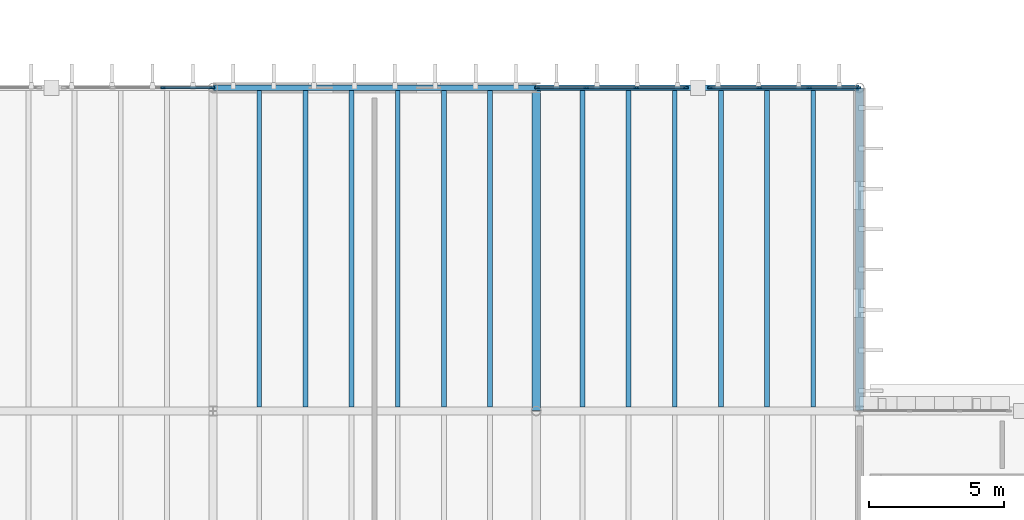
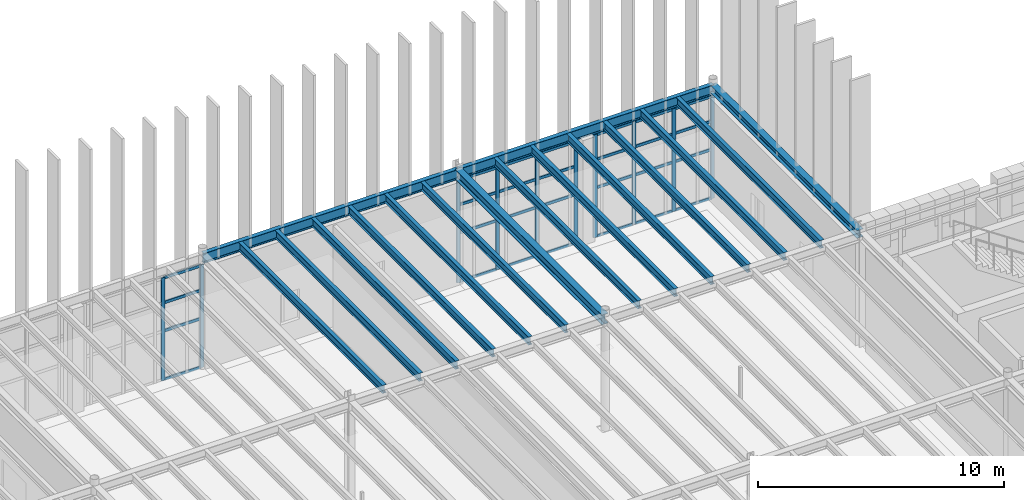
# One storey, part 29 of 83: 38 members, 16 beams, 3 elements without a shape of their own.
"""IFC4 building model written with IfcOpenShell, lengths in metres."""

from ifc_helpers import new_model, si_unit, direction, frame, origin, origin_2d, place, context, subcontext, project, spatial, rectangle, i_section, extrude, material, layer, layer_set, material_profile, profile_set, type_object, element, aggregate, save


model = new_model("IFC4")

# Units and contexts
model_context = context("Model", 3, precision=1e-05, world=origin(), true_north=direction((0.0, 1.0)))
body_context = subcontext(model_context, "Body", "Model", "MODEL_VIEW")
ifc_project = project(units=[si_unit("LENGTHUNIT", "METRE"), si_unit("AREAUNIT", "SQUARE_METRE"), si_unit("VOLUMEUNIT", "CUBIC_METRE"), si_unit("PLANEANGLEUNIT", "RADIAN"), si_unit("MASSUNIT", "GRAM", prefix="KILO")], contexts=[model_context])

# Site, building, storey
site_placement = place(None, origin())
site = spatial("IfcSite", under=ifc_project, at=site_placement, CompositionType="ELEMENT")
building_placement = place(site_placement, origin())
building = spatial("IfcBuilding", under=site, at=building_placement, Name="Zlatogorsky Bluff Art Gallery", CompositionType="ELEMENT")
storey_placement = place(building_placement, frame((0.0, 0.0, 10.800048828125)))
storey = spatial("IfcBuildingStorey", under=building, at=storey_placement, Name="L02", CompositionType="ELEMENT", Elevation=10.800048828125)

# Beams
ifc_material_1 = material(Name="Steel S355", Category="steel")
ifc_material_profile_1 = material_profile(ifc_material_1, i_section(OverallWidth=0.300048828125, OverallDepth=0.489990234375, WebThickness=0.011962890625, FlangeThickness=0.02294921875, FilletRadius=0.027099609375, at=origin_2d()), Name="HEA 500")
ifc_profile_set_1 = profile_set([ifc_material_profile_1], Name="Steel S355")
beam_type_1 = type_object("IfcBeamType", Name="Beam BM-07 HEA 500", PredefinedType="BEAM", material=ifc_profile_set_1)
beam_1_placement = place(storey_placement, frame((108.0, 108.014892578125, 5.445068359375), z_axis=(0.0, 1.0, 0.0), x_axis=(-1.0, 0.0, 0.0)))
element("IfcBeam", 1, at=beam_1_placement, inside=storey, type_object=beam_type_1, Name="Primary girder BM-07 L02 K/11-12", PredefinedType="BEAM", context=body_context, shape_type="SweptSolid", body=[
    extrude(i_section(OverallWidth=0.300048828125, OverallDepth=0.489990234375, WebThickness=0.011962890625, FlangeThickness=0.02294921875, FilletRadius=0.027099609375, at=origin_2d()), origin(), (0.0, 0.0, 1.0), 11.97021484375),
])
ifc_material_profile_2 = material_profile(ifc_material_1, i_section(OverallWidth=0.300048828125, OverallDepth=0.389892578125, WebThickness=0.010986328125, FlangeThickness=0.01904296875, FilletRadius=0.027099609375, at=origin_2d()), Name="HEA 400")
ifc_profile_set_2 = profile_set([ifc_material_profile_2], Name="Steel S355")
beam_type_2 = type_object("IfcBeamType", Name="Beam BM-09 HEA 400", PredefinedType="BEAM", material=ifc_profile_set_2)
beam_2_placement = place(storey_placement, frame((120.0, 108.014892578125, 5.494873046875), z_axis=(0.0, 1.0, 0.0), x_axis=(-1.0, 0.0, 0.0)))
element("IfcBeam", 2, at=beam_2_placement, inside=storey, type_object=beam_type_2, Name="Primary girder BM-09 L02 L/11-12", PredefinedType="BEAM", context=body_context, shape_type="SweptSolid", body=[
    extrude(i_section(OverallWidth=0.300048828125, OverallDepth=0.389892578125, WebThickness=0.010986328125, FlangeThickness=0.01904296875, FilletRadius=0.027099609375, at=origin_2d()), origin(), (0.0, 0.0, 1.0), 11.97021484375),
])
ifc_material_profile_3 = material_profile(ifc_material_1, i_section(OverallWidth=0.179931640625, OverallDepth=0.39990234375, WebThickness=0.008544921875, FlangeThickness=0.013427734375, FilletRadius=0.02099609375, at=origin_2d()), Name="IPE 400")
ifc_profile_set_3 = profile_set([ifc_material_profile_3], Name="Steel S355")
beam_type_3 = type_object("IfcBeamType", Name="Beam JS-05 IPE 400", PredefinedType="JOIST", material=ifc_profile_set_3)
for number, where, z_axis, x_axis, name in (
    (3, (97.71435546875, 108.14990234375, 5.489990234375), (0.0, 1.0, 0.0), (-1.0, 0.0, 0.0), "Composite floor joist JS-05 L02 08.10.1"),
    (4, (99.428466796875, 108.14990234375, 5.489990234375), (0.0, 1.0, 0.0), (-1.0, 0.0, 0.0), "Composite floor joist JS-05 L02 08.10.2"),
    (5, (101.142822265625, 108.14990234375, 5.489990234375), (0.0, 1.0, 0.0), (-1.0, 0.0, 0.0), "Composite floor joist JS-05 L02 08.10.3"),
    (6, (102.857177734375, 108.14990234375, 5.489990234375), (0.0, 1.0, 0.0), (-1.0, 0.0, 0.0), "Composite floor joist JS-05 L02 08.10.4"),
    (7, (104.571533203125, 108.14990234375, 5.489990234375), (0.0, 1.0, 0.0), (-1.0, 0.0, 0.0), "Composite floor joist JS-05 L02 08.10.5"),
    (8, (106.28564453125, 108.14990234375, 5.489990234375), (0.0, 1.0, 0.0), (-1.0, 0.0, 0.0), "Composite floor joist JS-05 L02 08.10.6"),
    (9, (109.71435546875, 108.14990234375, 5.489990234375), (0.0, 1.0, 0.0), (-1.0, 0.0, 0.0), "Composite floor joist JS-05 L02 09.10.1"),
    (10, (111.428466796875, 108.14990234375, 5.489990234375), (0.0, 1.0, 0.0), (-1.0, 0.0, 0.0), "Composite floor joist JS-05 L02 09.10.2"),
    (11, (113.142822265625, 108.14990234375, 5.489990234375), (0.0, 1.0, 0.0), (-1.0, 0.0, 0.0), "Composite floor joist JS-05 L02 09.10.3"),
    (12, (114.857177734375, 108.14990234375, 5.489990234375), (0.0, 1.0, 0.0), (-1.0, 0.0, 0.0), "Composite floor joist JS-05 L02 09.10.4"),
    (13, (116.571533203125, 108.14990234375, 5.489990234375), (0.0, 1.0, 0.0), (-1.0, 0.0, 0.0), "Composite floor joist JS-05 L02 09.10.5"),
    (14, (118.28564453125, 108.14990234375, 5.489990234375), (0.0, 1.0, 0.0), (-1.0, 0.0, 0.0), "Composite floor joist JS-05 L02 09.10.6"),
):
    element("IfcBeam", number, at=place(storey_placement, frame(where, z_axis=z_axis, x_axis=x_axis)), inside=storey, type_object=beam_type_3, Name=name, PredefinedType="JOIST", context=body_context, shape_type="SweptSolid", body=[
        extrude(i_section(OverallWidth=0.179931640625, OverallDepth=0.39990234375, WebThickness=0.008544921875, FlangeThickness=0.013427734375, FilletRadius=0.02099609375, at=origin_2d()), origin(), (0.0, 0.0, 1.0), 11.75),
    ])
ifc_material_profile_4 = material_profile(ifc_material_1, i_section(OverallWidth=0.199951171875, OverallDepth=0.5, WebThickness=0.01025390625, FlangeThickness=0.01611328125, FilletRadius=0.02099609375, at=origin_2d()), Name="IPE 500")
ifc_profile_set_4 = profile_set([ifc_material_profile_4], Name="Steel S355")
beam_type_4 = type_object("IfcBeamType", Name="Beam SP-01 IPE 500", PredefinedType="SPANDREL", material=ifc_profile_set_4)
for number, where, z_axis, x_axis, name in (
    (15, (96.014892578125, 120.0, 5.43994140625), (1.0, 0.0, 0.0), (0.0, 1.0, 0.0), "Primary girder SP-01 L02 J-K/12"),
    (16, (108.014892578125, 120.0, 5.43994140625), (1.0, 0.0, 0.0), (0.0, 1.0, 0.0), "Primary girder SP-01 L02 K-L/12"),
):
    element("IfcBeam", number, at=place(storey_placement, frame(where, z_axis=z_axis, x_axis=x_axis)), inside=storey, type_object=beam_type_4, Name=name, PredefinedType="SPANDREL", context=body_context, shape_type="SweptSolid", body=[
        extrude(i_section(OverallWidth=0.199951171875, OverallDepth=0.5, WebThickness=0.01025390625, FlangeThickness=0.01611328125, FilletRadius=0.02099609375, at=origin_2d()), origin(), (0.0, 0.0, 1.0), 11.97021484375),
    ])

# Curtain wall, members
ifc_material_2 = material(Name="Anodised Bronze Aluminium and Low-Iron Triple Glazing", Category="aluminium")
ifc_layer = layer(ifc_material_2, 0.219970703125)
ifc_layer_set = layer_set([ifc_layer], Name="Curtain Wall CW-04")
curtain_wall_type = type_object("IfcCurtainWallType", Name="Curtain Wall CW-04", PredefinedType="USERDEFINED", material=ifc_layer_set)
curtain_wall_1_placement = place(storey_placement, origin())
curtain_wall_1 = element("IfcCurtainWall", 17, at=curtain_wall_1_placement, inside=storey, type_object=curtain_wall_type, Name="Unitised curtain wall CW-04 L02 N 7.10-A", ObjectType="CURTAIN WALL", PredefinedType="USERDEFINED")
ifc_material_3 = material(Name="Anodised Bronze Aluminium", Category="aluminium")
ifc_material_profile_5 = material_profile(ifc_material_3, rectangle(XDim=0.06494140625, YDim=0.179931640625, at=origin_2d()), Name="ALU MULLION 65x180")
ifc_profile_set_5 = profile_set([ifc_material_profile_5], Name="Anodised Bronze Aluminium")
member_type_1 = type_object("IfcMemberType", Name="Curtain Mullion ML-01", PredefinedType="MULLION", material=ifc_profile_set_5)
member_1_placement = place(storey_placement, frame((95.967529296875, 120.0, 0.0), z_axis=(0.0, 0.0, 1.0), x_axis=(0.0, -1.0, 0.0)))
member_1 = element("IfcMember", 18, at=member_1_placement, type_object=member_type_1, Name="CW-04 mullion 1", PredefinedType="MULLION", context=body_context, shape_type="SweptSolid", body=[
    extrude(rectangle(XDim=0.06494140625, YDim=0.179931640625, at=origin_2d()), origin(), (0.0, 0.0, 1.0), 5.10986328125),
])
member_2_placement = place(storey_placement, frame((94.139892578125, 120.0, 0.0), z_axis=(0.0, 0.0, 1.0), x_axis=(0.0, -1.0, 0.0)))
member_2 = element("IfcMember", 19, at=member_2_placement, type_object=member_type_1, Name="CW-04 mullion 2", PredefinedType="MULLION", context=body_context, shape_type="SweptSolid", body=[
    extrude(rectangle(XDim=0.06494140625, YDim=0.179931640625, at=origin_2d()), origin(), (0.0, 0.0, 1.0), 5.10986328125),
])

curtain_wall_2_placement = place(storey_placement, origin())
curtain_wall_2 = element("IfcCurtainWall", 20, at=curtain_wall_2_placement, inside=storey, type_object=curtain_wall_type, Name="Unitised curtain wall CW-04 L02 N 9.10-A", ObjectType="CURTAIN WALL", PredefinedType="USERDEFINED")
member_3_placement = place(storey_placement, frame((119.967529296875, 120.0, 0.0), z_axis=(0.0, 0.0, 1.0), x_axis=(0.0, -1.0, 0.0)))
member_3 = element("IfcMember", 21, at=member_3_placement, type_object=member_type_1, Name="CW-04 mullion 1", PredefinedType="MULLION", context=body_context, shape_type="SweptSolid", body=[
    extrude(rectangle(XDim=0.06494140625, YDim=0.179931640625, at=origin_2d()), origin(), (0.0, 0.0, 1.0), 5.10986328125),
])
member_4_placement = place(storey_placement, frame((118.139892578125, 120.0, 0.0), z_axis=(0.0, 0.0, 1.0), x_axis=(0.0, -1.0, 0.0)))
member_4 = element("IfcMember", 22, at=member_4_placement, type_object=member_type_1, Name="CW-04 mullion 2", PredefinedType="MULLION", context=body_context, shape_type="SweptSolid", body=[
    extrude(rectangle(XDim=0.06494140625, YDim=0.179931640625, at=origin_2d()), origin(), (0.0, 0.0, 1.0), 5.10986328125),
])
member_5_placement = place(storey_placement, frame((116.280029296875, 120.0, 0.0), z_axis=(0.0, 0.0, 1.0), x_axis=(0.0, -1.0, 0.0)))
member_5 = element("IfcMember", 23, at=member_5_placement, type_object=member_type_1, Name="CW-04 mullion 3", PredefinedType="MULLION", context=body_context, shape_type="SweptSolid", body=[
    extrude(rectangle(XDim=0.06494140625, YDim=0.179931640625, at=origin_2d()), origin(), (0.0, 0.0, 1.0), 5.10986328125),
])
member_6_placement = place(storey_placement, frame((114.452392578125, 120.0, 0.0), z_axis=(0.0, 0.0, 1.0), x_axis=(0.0, -1.0, 0.0)))
member_6 = element("IfcMember", 24, at=member_6_placement, type_object=member_type_1, Name="CW-04 mullion 4", PredefinedType="MULLION", context=body_context, shape_type="SweptSolid", body=[
    extrude(rectangle(XDim=0.06494140625, YDim=0.179931640625, at=origin_2d()), origin(), (0.0, 0.0, 1.0), 5.10986328125),
])

curtain_wall_3_placement = place(storey_placement, origin())
curtain_wall_3 = element("IfcCurtainWall", 25, at=curtain_wall_3_placement, inside=storey, type_object=curtain_wall_type, Name="Unitised curtain wall CW-04 L02 N 9.10-B", ObjectType="CURTAIN WALL", PredefinedType="USERDEFINED")
member_7_placement = place(storey_placement, frame((113.547607421875, 120.0, 0.0), z_axis=(0.0, 0.0, 1.0), x_axis=(0.0, -1.0, 0.0)))
member_7 = element("IfcMember", 26, at=member_7_placement, type_object=member_type_1, Name="CW-04 mullion 1", PredefinedType="MULLION", context=body_context, shape_type="SweptSolid", body=[
    extrude(rectangle(XDim=0.06494140625, YDim=0.179931640625, at=origin_2d()), origin(), (0.0, 0.0, 1.0), 5.10986328125),
])
member_8_placement = place(storey_placement, frame((111.719970703125, 120.0, 0.0), z_axis=(0.0, 0.0, 1.0), x_axis=(0.0, -1.0, 0.0)))
member_8 = element("IfcMember", 27, at=member_8_placement, type_object=member_type_1, Name="CW-04 mullion 2", PredefinedType="MULLION", context=body_context, shape_type="SweptSolid", body=[
    extrude(rectangle(XDim=0.06494140625, YDim=0.179931640625, at=origin_2d()), origin(), (0.0, 0.0, 1.0), 5.10986328125),
])
member_9_placement = place(storey_placement, frame((109.860107421875, 120.0, 0.0), z_axis=(0.0, 0.0, 1.0), x_axis=(0.0, -1.0, 0.0)))
member_9 = element("IfcMember", 28, at=member_9_placement, type_object=member_type_1, Name="CW-04 mullion 3", PredefinedType="MULLION", context=body_context, shape_type="SweptSolid", body=[
    extrude(rectangle(XDim=0.06494140625, YDim=0.179931640625, at=origin_2d()), origin(), (0.0, 0.0, 1.0), 5.10986328125),
])
member_10_placement = place(storey_placement, frame((108.032470703125, 120.0, 0.0), z_axis=(0.0, 0.0, 1.0), x_axis=(0.0, -1.0, 0.0)))
member_10 = element("IfcMember", 29, at=member_10_placement, type_object=member_type_1, Name="CW-04 mullion 4", PredefinedType="MULLION", context=body_context, shape_type="SweptSolid", body=[
    extrude(rectangle(XDim=0.06494140625, YDim=0.179931640625, at=origin_2d()), origin(), (0.0, 0.0, 1.0), 5.10986328125),
])

# Member
ifc_material_profile_6 = material_profile(ifc_material_3, rectangle(XDim=0.06494140625, YDim=0.139892578125, at=origin_2d()), Name="ALU TRANSOM 65x140")
ifc_profile_set_6 = profile_set([ifc_material_profile_6], Name="Anodised Bronze Aluminium")
member_type_2 = type_object("IfcMemberType", Name="Curtain Transom TR-01", PredefinedType="USERDEFINED", material=ifc_profile_set_6)
member_11_placement = place(storey_placement, frame((95.93505859375, 120.0, 0.032470703125), z_axis=(-1.0, 0.0, 0.0), x_axis=(0.0, -1.0, 0.0)))
member_11 = element("IfcMember", 30, at=member_11_placement, type_object=member_type_2, Name="CW-04 transom 1.1", ObjectType="TRANSOM", PredefinedType="USERDEFINED", context=body_context, shape_type="SweptSolid", body=[
    extrude(rectangle(XDim=0.06494140625, YDim=0.139892578125, at=origin_2d()), origin(), (0.0, 0.0, 1.0), 1.762451171875),
])

member_12_placement = place(storey_placement, frame((95.93505859375, 120.0, 2.449951171875), z_axis=(-1.0, 0.0, 0.0), x_axis=(0.0, -1.0, 0.0)))
member_12 = element("IfcMember", 31, at=member_12_placement, type_object=member_type_2, Name="CW-04 transom 1.2", ObjectType="TRANSOM", PredefinedType="USERDEFINED", context=body_context, shape_type="SweptSolid", body=[
    extrude(rectangle(XDim=0.06494140625, YDim=0.139892578125, at=origin_2d()), origin(), (0.0, 0.0, 1.0), 1.762451171875),
])

member_13_placement = place(storey_placement, frame((95.93505859375, 120.0, 3.849853515625), z_axis=(-1.0, 0.0, 0.0), x_axis=(0.0, -1.0, 0.0)))
member_13 = element("IfcMember", 32, at=member_13_placement, type_object=member_type_2, Name="CW-04 transom 1.3", ObjectType="TRANSOM", PredefinedType="USERDEFINED", context=body_context, shape_type="SweptSolid", body=[
    extrude(rectangle(XDim=0.06494140625, YDim=0.139892578125, at=origin_2d()), origin(), (0.0, 0.0, 1.0), 1.762451171875),
])

member_14_placement = place(storey_placement, frame((95.93505859375, 120.0, 5.077392578125), z_axis=(-1.0, 0.0, 0.0), x_axis=(0.0, -1.0, 0.0)))
member_14 = element("IfcMember", 33, at=member_14_placement, type_object=member_type_2, Name="CW-04 transom 1.4", ObjectType="TRANSOM", PredefinedType="USERDEFINED", context=body_context, shape_type="SweptSolid", body=[
    extrude(rectangle(XDim=0.06494140625, YDim=0.139892578125, at=origin_2d()), origin(), (0.0, 0.0, 1.0), 1.762451171875),
])

aggregate(curtain_wall_1, [member_1, member_2, member_11, member_12, member_13, member_14])

member_15_placement = place(storey_placement, frame((119.93505859375, 120.0, 0.032470703125), z_axis=(-1.0, 0.0, 0.0), x_axis=(0.0, -1.0, 0.0)))
member_15 = element("IfcMember", 34, at=member_15_placement, type_object=member_type_2, Name="CW-04 transom 1.1", ObjectType="TRANSOM", PredefinedType="USERDEFINED", context=body_context, shape_type="SweptSolid", body=[
    extrude(rectangle(XDim=0.06494140625, YDim=0.139892578125, at=origin_2d()), origin(), (0.0, 0.0, 1.0), 1.762451171875),
])

member_16_placement = place(storey_placement, frame((119.93505859375, 120.0, 2.449951171875), z_axis=(-1.0, 0.0, 0.0), x_axis=(0.0, -1.0, 0.0)))
member_16 = element("IfcMember", 35, at=member_16_placement, type_object=member_type_2, Name="CW-04 transom 1.2", ObjectType="TRANSOM", PredefinedType="USERDEFINED", context=body_context, shape_type="SweptSolid", body=[
    extrude(rectangle(XDim=0.06494140625, YDim=0.139892578125, at=origin_2d()), origin(), (0.0, 0.0, 1.0), 1.762451171875),
])

member_17_placement = place(storey_placement, frame((119.93505859375, 120.0, 3.849853515625), z_axis=(-1.0, 0.0, 0.0), x_axis=(0.0, -1.0, 0.0)))
member_17 = element("IfcMember", 36, at=member_17_placement, type_object=member_type_2, Name="CW-04 transom 1.3", ObjectType="TRANSOM", PredefinedType="USERDEFINED", context=body_context, shape_type="SweptSolid", body=[
    extrude(rectangle(XDim=0.06494140625, YDim=0.139892578125, at=origin_2d()), origin(), (0.0, 0.0, 1.0), 1.762451171875),
])

member_18_placement = place(storey_placement, frame((119.93505859375, 120.0, 5.077392578125), z_axis=(-1.0, 0.0, 0.0), x_axis=(0.0, -1.0, 0.0)))
member_18 = element("IfcMember", 37, at=member_18_placement, type_object=member_type_2, Name="CW-04 transom 1.4", ObjectType="TRANSOM", PredefinedType="USERDEFINED", context=body_context, shape_type="SweptSolid", body=[
    extrude(rectangle(XDim=0.06494140625, YDim=0.139892578125, at=origin_2d()), origin(), (0.0, 0.0, 1.0), 1.762451171875),
])

member_19_placement = place(storey_placement, frame((118.107421875, 120.0, 0.032470703125), z_axis=(-1.0, 0.0, 0.0), x_axis=(0.0, -1.0, 0.0)))
member_19 = element("IfcMember", 38, at=member_19_placement, type_object=member_type_2, Name="CW-04 transom 2.1", ObjectType="TRANSOM", PredefinedType="USERDEFINED", context=body_context, shape_type="SweptSolid", body=[
    extrude(rectangle(XDim=0.06494140625, YDim=0.139892578125, at=origin_2d()), origin(), (0.0, 0.0, 1.0), 1.794921875),
])

member_20_placement = place(storey_placement, frame((118.107421875, 120.0, 2.449951171875), z_axis=(-1.0, 0.0, 0.0), x_axis=(0.0, -1.0, 0.0)))
member_20 = element("IfcMember", 39, at=member_20_placement, type_object=member_type_2, Name="CW-04 transom 2.2", ObjectType="TRANSOM", PredefinedType="USERDEFINED", context=body_context, shape_type="SweptSolid", body=[
    extrude(rectangle(XDim=0.06494140625, YDim=0.139892578125, at=origin_2d()), origin(), (0.0, 0.0, 1.0), 1.794921875),
])

member_21_placement = place(storey_placement, frame((118.107421875, 120.0, 3.849853515625), z_axis=(-1.0, 0.0, 0.0), x_axis=(0.0, -1.0, 0.0)))
member_21 = element("IfcMember", 40, at=member_21_placement, type_object=member_type_2, Name="CW-04 transom 2.3", ObjectType="TRANSOM", PredefinedType="USERDEFINED", context=body_context, shape_type="SweptSolid", body=[
    extrude(rectangle(XDim=0.06494140625, YDim=0.139892578125, at=origin_2d()), origin(), (0.0, 0.0, 1.0), 1.794921875),
])

member_22_placement = place(storey_placement, frame((118.107421875, 120.0, 5.077392578125), z_axis=(-1.0, 0.0, 0.0), x_axis=(0.0, -1.0, 0.0)))
member_22 = element("IfcMember", 41, at=member_22_placement, type_object=member_type_2, Name="CW-04 transom 2.4", ObjectType="TRANSOM", PredefinedType="USERDEFINED", context=body_context, shape_type="SweptSolid", body=[
    extrude(rectangle(XDim=0.06494140625, YDim=0.139892578125, at=origin_2d()), origin(), (0.0, 0.0, 1.0), 1.794921875),
])

member_23_placement = place(storey_placement, frame((116.24755859375, 120.0, 0.032470703125), z_axis=(-1.0, 0.0, 0.0), x_axis=(0.0, -1.0, 0.0)))
member_23 = element("IfcMember", 42, at=member_23_placement, type_object=member_type_2, Name="CW-04 transom 3.1", ObjectType="TRANSOM", PredefinedType="USERDEFINED", context=body_context, shape_type="SweptSolid", body=[
    extrude(rectangle(XDim=0.06494140625, YDim=0.139892578125, at=origin_2d()), origin(), (0.0, 0.0, 1.0), 1.762451171875),
])

member_24_placement = place(storey_placement, frame((116.24755859375, 120.0, 2.449951171875), z_axis=(-1.0, 0.0, 0.0), x_axis=(0.0, -1.0, 0.0)))
member_24 = element("IfcMember", 43, at=member_24_placement, type_object=member_type_2, Name="CW-04 transom 3.2", ObjectType="TRANSOM", PredefinedType="USERDEFINED", context=body_context, shape_type="SweptSolid", body=[
    extrude(rectangle(XDim=0.06494140625, YDim=0.139892578125, at=origin_2d()), origin(), (0.0, 0.0, 1.0), 1.762451171875),
])

member_25_placement = place(storey_placement, frame((116.24755859375, 120.0, 3.849853515625), z_axis=(-1.0, 0.0, 0.0), x_axis=(0.0, -1.0, 0.0)))
member_25 = element("IfcMember", 44, at=member_25_placement, type_object=member_type_2, Name="CW-04 transom 3.3", ObjectType="TRANSOM", PredefinedType="USERDEFINED", context=body_context, shape_type="SweptSolid", body=[
    extrude(rectangle(XDim=0.06494140625, YDim=0.139892578125, at=origin_2d()), origin(), (0.0, 0.0, 1.0), 1.762451171875),
])

member_26_placement = place(storey_placement, frame((116.24755859375, 120.0, 5.077392578125), z_axis=(-1.0, 0.0, 0.0), x_axis=(0.0, -1.0, 0.0)))
member_26 = element("IfcMember", 45, at=member_26_placement, type_object=member_type_2, Name="CW-04 transom 3.4", ObjectType="TRANSOM", PredefinedType="USERDEFINED", context=body_context, shape_type="SweptSolid", body=[
    extrude(rectangle(XDim=0.06494140625, YDim=0.139892578125, at=origin_2d()), origin(), (0.0, 0.0, 1.0), 1.762451171875),
])

aggregate(curtain_wall_2, [member_3, member_4, member_5, member_6, member_15, member_16, member_17, member_18, member_19, member_20, member_21, member_22, member_23, member_24, member_25, member_26])

member_27_placement = place(storey_placement, frame((113.514892578125, 120.0, 0.032470703125), z_axis=(-1.0, 0.0, 0.0), x_axis=(0.0, -1.0, 0.0)))
member_27 = element("IfcMember", 46, at=member_27_placement, type_object=member_type_2, Name="CW-04 transom 1.1", ObjectType="TRANSOM", PredefinedType="USERDEFINED", context=body_context, shape_type="SweptSolid", body=[
    extrude(rectangle(XDim=0.06494140625, YDim=0.139892578125, at=origin_2d()), origin(), (0.0, 0.0, 1.0), 1.762451171875),
])

member_28_placement = place(storey_placement, frame((113.514892578125, 120.0, 2.449951171875), z_axis=(-1.0, 0.0, 0.0), x_axis=(0.0, -1.0, 0.0)))
member_28 = element("IfcMember", 47, at=member_28_placement, type_object=member_type_2, Name="CW-04 transom 1.2", ObjectType="TRANSOM", PredefinedType="USERDEFINED", context=body_context, shape_type="SweptSolid", body=[
    extrude(rectangle(XDim=0.06494140625, YDim=0.139892578125, at=origin_2d()), origin(), (0.0, 0.0, 1.0), 1.762451171875),
])

member_29_placement = place(storey_placement, frame((113.514892578125, 120.0, 3.849853515625), z_axis=(-1.0, 0.0, 0.0), x_axis=(0.0, -1.0, 0.0)))
member_29 = element("IfcMember", 48, at=member_29_placement, type_object=member_type_2, Name="CW-04 transom 1.3", ObjectType="TRANSOM", PredefinedType="USERDEFINED", context=body_context, shape_type="SweptSolid", body=[
    extrude(rectangle(XDim=0.06494140625, YDim=0.139892578125, at=origin_2d()), origin(), (0.0, 0.0, 1.0), 1.762451171875),
])

member_30_placement = place(storey_placement, frame((113.514892578125, 120.0, 5.077392578125), z_axis=(-1.0, 0.0, 0.0), x_axis=(0.0, -1.0, 0.0)))
member_30 = element("IfcMember", 49, at=member_30_placement, type_object=member_type_2, Name="CW-04 transom 1.4", ObjectType="TRANSOM", PredefinedType="USERDEFINED", context=body_context, shape_type="SweptSolid", body=[
    extrude(rectangle(XDim=0.06494140625, YDim=0.139892578125, at=origin_2d()), origin(), (0.0, 0.0, 1.0), 1.762451171875),
])

member_31_placement = place(storey_placement, frame((111.6875, 120.0, 0.032470703125), z_axis=(-1.0, 0.0, 0.0), x_axis=(0.0, -1.0, 0.0)))
member_31 = element("IfcMember", 50, at=member_31_placement, type_object=member_type_2, Name="CW-04 transom 2.1", ObjectType="TRANSOM", PredefinedType="USERDEFINED", context=body_context, shape_type="SweptSolid", body=[
    extrude(rectangle(XDim=0.06494140625, YDim=0.139892578125, at=origin_2d()), origin(), (0.0, 0.0, 1.0), 1.794921875),
])

member_32_placement = place(storey_placement, frame((111.6875, 120.0, 2.449951171875), z_axis=(-1.0, 0.0, 0.0), x_axis=(0.0, -1.0, 0.0)))
member_32 = element("IfcMember", 51, at=member_32_placement, type_object=member_type_2, Name="CW-04 transom 2.2", ObjectType="TRANSOM", PredefinedType="USERDEFINED", context=body_context, shape_type="SweptSolid", body=[
    extrude(rectangle(XDim=0.06494140625, YDim=0.139892578125, at=origin_2d()), origin(), (0.0, 0.0, 1.0), 1.794921875),
])

member_33_placement = place(storey_placement, frame((111.6875, 120.0, 3.849853515625), z_axis=(-1.0, 0.0, 0.0), x_axis=(0.0, -1.0, 0.0)))
member_33 = element("IfcMember", 52, at=member_33_placement, type_object=member_type_2, Name="CW-04 transom 2.3", ObjectType="TRANSOM", PredefinedType="USERDEFINED", context=body_context, shape_type="SweptSolid", body=[
    extrude(rectangle(XDim=0.06494140625, YDim=0.139892578125, at=origin_2d()), origin(), (0.0, 0.0, 1.0), 1.794921875),
])

member_34_placement = place(storey_placement, frame((111.6875, 120.0, 5.077392578125), z_axis=(-1.0, 0.0, 0.0), x_axis=(0.0, -1.0, 0.0)))
member_34 = element("IfcMember", 53, at=member_34_placement, type_object=member_type_2, Name="CW-04 transom 2.4", ObjectType="TRANSOM", PredefinedType="USERDEFINED", context=body_context, shape_type="SweptSolid", body=[
    extrude(rectangle(XDim=0.06494140625, YDim=0.139892578125, at=origin_2d()), origin(), (0.0, 0.0, 1.0), 1.794921875),
])

member_35_placement = place(storey_placement, frame((109.827392578125, 120.0, 0.032470703125), z_axis=(-1.0, 0.0, 0.0), x_axis=(0.0, -1.0, 0.0)))
member_35 = element("IfcMember", 54, at=member_35_placement, type_object=member_type_2, Name="CW-04 transom 3.1", ObjectType="TRANSOM", PredefinedType="USERDEFINED", context=body_context, shape_type="SweptSolid", body=[
    extrude(rectangle(XDim=0.06494140625, YDim=0.139892578125, at=origin_2d()), origin(), (0.0, 0.0, 1.0), 1.762451171875),
])

member_36_placement = place(storey_placement, frame((109.827392578125, 120.0, 2.449951171875), z_axis=(-1.0, 0.0, 0.0), x_axis=(0.0, -1.0, 0.0)))
member_36 = element("IfcMember", 55, at=member_36_placement, type_object=member_type_2, Name="CW-04 transom 3.2", ObjectType="TRANSOM", PredefinedType="USERDEFINED", context=body_context, shape_type="SweptSolid", body=[
    extrude(rectangle(XDim=0.06494140625, YDim=0.139892578125, at=origin_2d()), origin(), (0.0, 0.0, 1.0), 1.762451171875),
])

member_37_placement = place(storey_placement, frame((109.827392578125, 120.0, 3.849853515625), z_axis=(-1.0, 0.0, 0.0), x_axis=(0.0, -1.0, 0.0)))
member_37 = element("IfcMember", 56, at=member_37_placement, type_object=member_type_2, Name="CW-04 transom 3.3", ObjectType="TRANSOM", PredefinedType="USERDEFINED", context=body_context, shape_type="SweptSolid", body=[
    extrude(rectangle(XDim=0.06494140625, YDim=0.139892578125, at=origin_2d()), origin(), (0.0, 0.0, 1.0), 1.762451171875),
])

member_38_placement = place(storey_placement, frame((109.827392578125, 120.0, 5.077392578125), z_axis=(-1.0, 0.0, 0.0), x_axis=(0.0, -1.0, 0.0)))
member_38 = element("IfcMember", 57, at=member_38_placement, type_object=member_type_2, Name="CW-04 transom 3.4", ObjectType="TRANSOM", PredefinedType="USERDEFINED", context=body_context, shape_type="SweptSolid", body=[
    extrude(rectangle(XDim=0.06494140625, YDim=0.139892578125, at=origin_2d()), origin(), (0.0, 0.0, 1.0), 1.762451171875),
])

aggregate(curtain_wall_3, [member_7, member_8, member_9, member_10, member_27, member_28, member_29, member_30, member_31, member_32, member_33, member_34, member_35, member_36, member_37, member_38])

save(model, "model.ifc")
